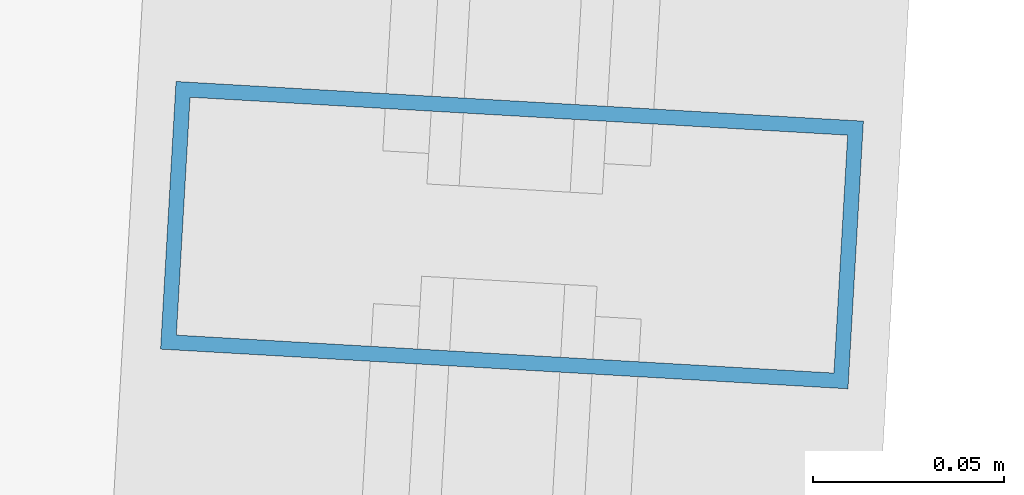
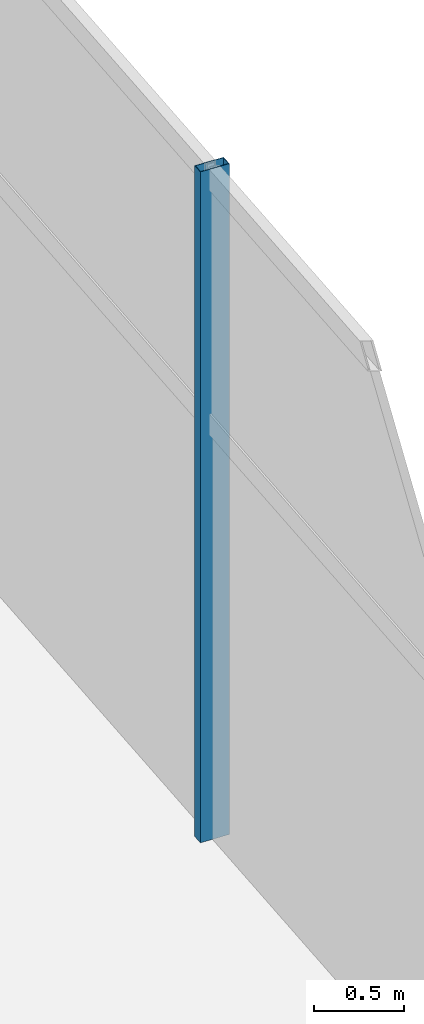
# One storey, part 71 of 186: 1 member, 1 element without a shape of its own.
"""IFC4 building model written with IfcOpenShell, lengths in metres."""

from ifc_helpers import new_model, si_unit, direction, frame, origin, origin_2d, place, context, subcontext, project, spatial, hollow_rectangle, extrude, material, layer, layer_set, material_profile, profile_set, type_object, element, aggregate, save


model = new_model("IFC4")

# Units and contexts
model_context = context("Model", 3, precision=1e-05, world=origin(), true_north=direction((0.0, 1.0)))
body_context = subcontext(model_context, "Body", "Model", "MODEL_VIEW")
ifc_project = project(units=[si_unit("LENGTHUNIT", "METRE"), si_unit("AREAUNIT", "SQUARE_METRE"), si_unit("VOLUMEUNIT", "CUBIC_METRE"), si_unit("PLANEANGLEUNIT", "RADIAN"), si_unit("MASSUNIT", "GRAM", prefix="KILO")], contexts=[model_context])

# Site, building, storey
site_placement = place(None, origin())
site = spatial("IfcSite", under=ifc_project, at=site_placement, CompositionType="ELEMENT")
building_placement = place(site_placement, origin())
building = spatial("IfcBuilding", under=site, at=building_placement, Name="Kazemori Nagisa Stadium", CompositionType="ELEMENT")
storey_placement = place(building_placement, frame((0.0, 0.0, 20.39990234375)))
storey = spatial("IfcBuildingStorey", under=building, at=storey_placement, Name="L04", CompositionType="ELEMENT", Elevation=20.39990234375)

# Curtain wall, member
ifc_material_1 = material(Name="Anodised aluminium 6063-T5", Category="aluminium")
ifc_layer = layer(ifc_material_1, 0.179931640625, Name="Anodised aluminium 6063-T5", Category="aluminium")
ifc_layer_set = layer_set([ifc_layer], Name="Anodised aluminium 6063-T5")
curtain_wall_type = type_object("IfcCurtainWallType", Name="CW_L04R3_95", PredefinedType="USERDEFINED", material=ifc_layer_set)
curtain_wall_placement = place(storey_placement, origin())
curtain_wall = element("IfcCurtainWall", 1, at=curtain_wall_placement, inside=storey, type_object=curtain_wall_type, Name="Unitised curtain wall CW-L04R3-95 L04", ObjectType="UNITISED CURTAIN WALL", PredefinedType="USERDEFINED")
ifc_material_2 = material(Name="Aluminium 6063-T5 anodised", Category="aluminium")
ifc_material_profile = material_profile(ifc_material_2, hollow_rectangle(XDim=0.070068359375, YDim=0.179931640625, WallThickness=0.00390625, at=origin_2d()), Name="ALU-MULL-70x180x4")
ifc_profile_set = profile_set([ifc_material_profile], Name="Aluminium 6063-T5 anodised")
member_type = type_object("IfcMemberType", Name="Mullion_M01", PredefinedType="MULLION", material=ifc_profile_set)
member_placement = place(storey_placement, frame((217.2587890625, 89.153076171875, 0.0), z_axis=(0.0, 0.0, 1.0), x_axis=(0.057601670941, 0.998339645364, 0.0)))
member = element("IfcMember", 2, at=member_placement, type_object=member_type, Name="Curtain wall mullion CW-L04R3-95-M2", PredefinedType="MULLION", context=body_context, shape_type="SweptSolid", body=[
    extrude(hollow_rectangle(XDim=0.070068359375, YDim=0.179931640625, WallThickness=0.00390625, at=origin_2d()), origin(), (0.0, 0.0, 1.0), 4.530029296875),
])
aggregate(curtain_wall, [member])

save(model, "model.ifc")
